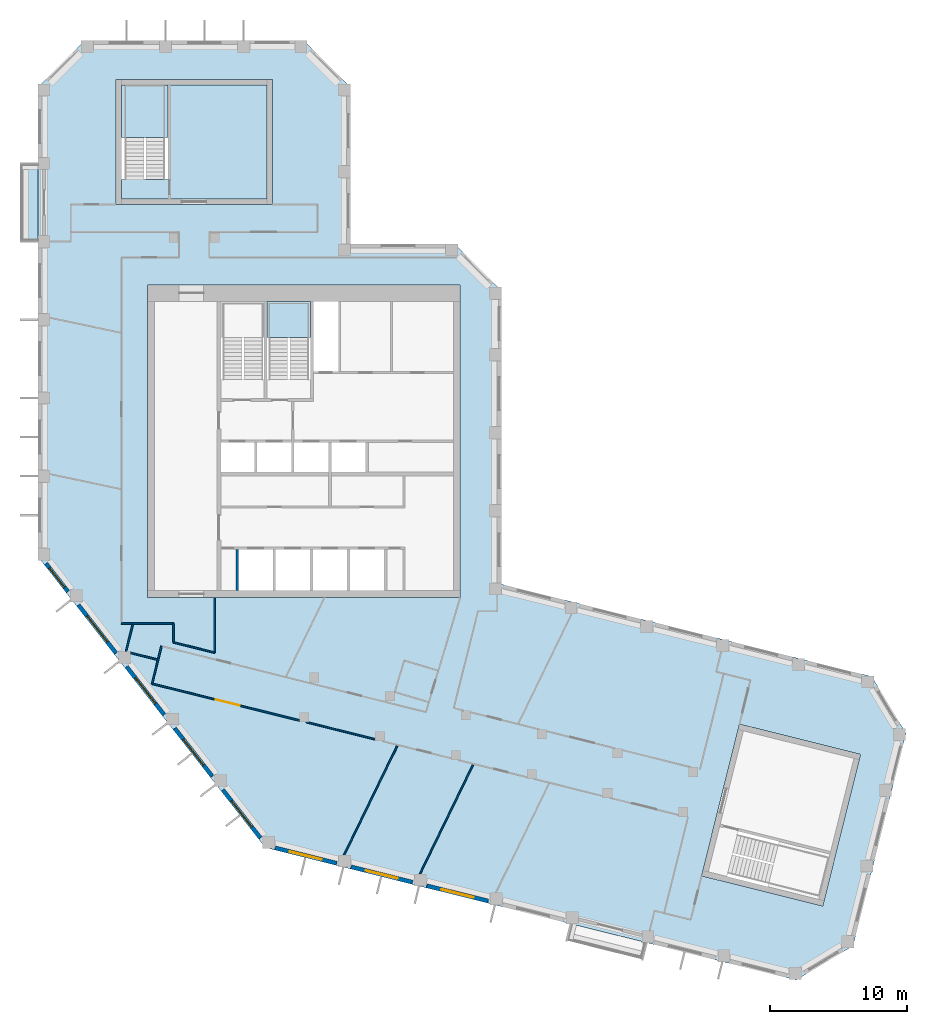
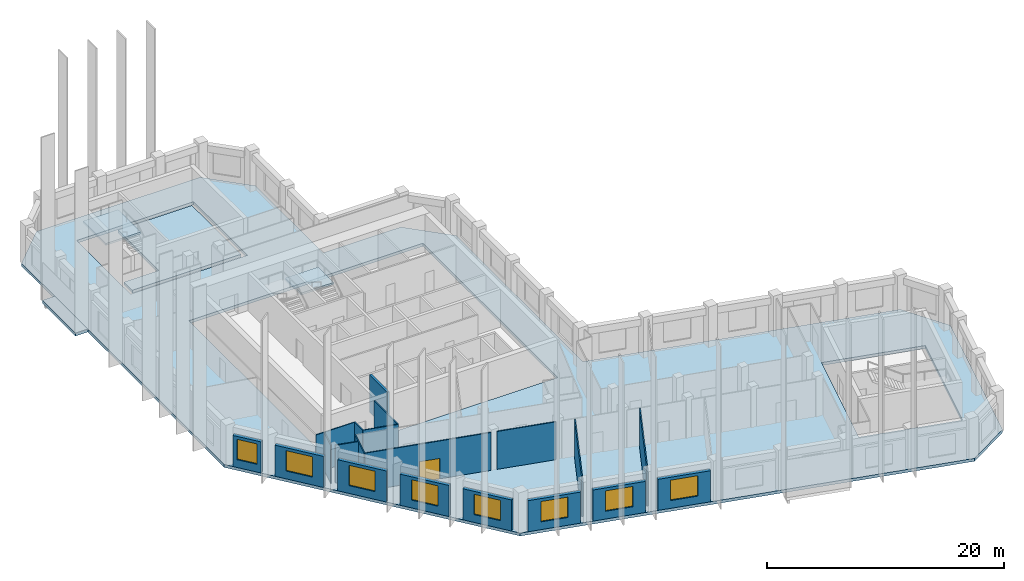
# One storey, part 2 of 8: 20 walls, 8 windows, 5 slabs, 1 door, 9 openings, 2 elements without a shape of their own.
"""IFC4 building model written with IfcOpenShell, lengths in metres."""

import ifcopenshell
import ifcopenshell.guid

model = None  # the IFC model being written
_history = None  # IfcOwnerHistory: only IFC2X3 demands one
_inside = {}  # id of a spatial element -> (the spatial element, [elements in it])
_under = {}  # id of a project, library or spatial element -> (it, [spatial elements below it])
_declared = {}  # id of a project -> (the project, [libraries it declares])
_typed = {}  # id of a type object -> (the type object, [elements of that type])
_made_of = {}  # id of a material, layer set ... -> (it, [elements and type objects made of it])


def new_model(schema):
    """Start an empty IFC model of exactly this schema.

    Asked for "IFC4X3", IfcOpenShell would pick the latest addendum, in which some entities
    have other attributes; the version numbers below select the first issue.
    IFC2X3 requires an IfcOwnerHistory on every rooted entity: one is made here for all.
    """
    global model, _history
    if schema == "IFC4X3":
        model = ifcopenshell.file(schema_version=(4, 3, 0, 0))
    else:
        model = ifcopenshell.file(schema=schema)
    _inside.clear()
    _under.clear()
    _declared.clear()
    _typed.clear()
    _made_of.clear()
    _history = None
    if model.schema == "IFC2X3":
        org = make("IfcOrganization", Name="unknown")
        user = make(
            "IfcPersonAndOrganization",
            ThePerson=make("IfcPerson", FamilyName="unknown"),
            TheOrganization=org,
        )
        app = make(
            "IfcApplication",
            ApplicationDeveloper=org,
            Version="unknown",
            ApplicationFullName="unknown",
            ApplicationIdentifier="unknown",
        )
        _history = make(
            "IfcOwnerHistory",
            OwningUser=user,
            OwningApplication=app,
            ChangeAction="ADDED",
            CreationDate=0,
        )
    return model


def make(cls, **values):
    """One entity of the class cls with the attributes given. An attribute that is None is left unset."""
    return model.create_entity(
        cls, **{name: value for name, value in values.items() if value is not None}
    )


def rooted(cls, **values):
    """An entity with a GlobalId (a new one), such as an element, a storey or a relation."""
    return make(cls, GlobalId=ifcopenshell.guid.new(), OwnerHistory=_history, **values)


def si_unit(unit_type, name, prefix=None):
    """IfcSIUnit, for example si_unit("LENGTHUNIT", "METRE", prefix="MILLI")."""
    return make("IfcSIUnit", UnitType=unit_type, Prefix=prefix, Name=name)


def assignment(units):
    """IfcUnitAssignment: the units of a project."""
    return None if units is None else make("IfcUnitAssignment", Units=units)


def point(xyz):
    """IfcCartesianPoint."""
    return None if xyz is None else make("IfcCartesianPoint", Coordinates=xyz)


def direction(xyz):
    """IfcDirection."""
    return None if xyz is None else make("IfcDirection", DirectionRatios=xyz)


def frame(location, z_axis=None, x_axis=None):
    """IfcAxis2Placement3D, a coordinate frame: its origin and axes. An axis left out is left unset."""
    return make(
        "IfcAxis2Placement3D",
        Location=point(location),
        Axis=direction(z_axis),
        RefDirection=direction(x_axis),
    )


def frame_2d(location, x_axis=None):
    """IfcAxis2Placement2D, a coordinate frame in the plane: its origin and x axis."""
    return make(
        "IfcAxis2Placement2D", Location=point(location), RefDirection=direction(x_axis)
    )


def origin():
    """The frame at (0, 0, 0) with its axes left unset."""
    return frame((0.0, 0.0, 0.0))


def place(relative_to, where):
    """IfcLocalPlacement: puts the frame where relative to a parent placement (None: the world)."""
    return make(
        "IfcLocalPlacement", PlacementRelTo=relative_to, RelativePlacement=where
    )


def context(
    kind, dimensions, precision=None, world=None, true_north=None, identifier=None
):
    """IfcGeometricRepresentationContext, for example the 3D "Model" context."""
    return make(
        "IfcGeometricRepresentationContext",
        ContextIdentifier=identifier,
        ContextType=kind,
        CoordinateSpaceDimension=dimensions,
        Precision=precision,
        WorldCoordinateSystem=world,
        TrueNorth=true_north,
    )


def subcontext(parent, identifier, kind, view, scale=None):
    """IfcGeometricRepresentationSubContext, for example "Body" below "Model"."""
    return make(
        "IfcGeometricRepresentationSubContext",
        ContextIdentifier=identifier,
        ContextType=kind,
        ParentContext=parent,
        TargetScale=scale,
        TargetView=view,
    )


def project(units=None, contexts=None):
    """IfcProject with its units and contexts."""
    return rooted(
        "IfcProject",
        Name="project",
        RepresentationContexts=contexts,
        UnitsInContext=assignment(units),
    )


def spatial(cls, under=None, at=None, **own):
    """A site, building, storey or space (cls), placed at a placement, below another one or the project."""
    s = rooted(cls, ObjectPlacement=at, **own)
    if under is not None:
        _under.setdefault(under.id(), (under, []))[1].append(s)
    return s


def polyline(points):
    """IfcPolyline through the points."""
    return make("IfcPolyline", Points=[point(p) for p in points])


def profile(cls, at=None, kind="AREA", **sizes):
    """A parametric profile (cls). Its sizes go by their IFC names, for example OverallWidth=200.0."""
    return make(cls, ProfileType=kind, Position=at, **sizes)


def rectangle(**sizes):
    """IfcRectangleProfileDef."""
    return profile("IfcRectangleProfileDef", **sizes)


def outline(outer, holes=None, kind="AREA"):
    """IfcArbitraryClosedProfileDef: a profile drawn as a closed curve; with holes, ...WithVoids."""
    if holes is None:
        return make("IfcArbitraryClosedProfileDef", ProfileType=kind, OuterCurve=outer)
    return make(
        "IfcArbitraryProfileDefWithVoids",
        ProfileType=kind,
        OuterCurve=outer,
        InnerCurves=holes,
    )


def extrude(swept, where, along, depth):
    """IfcExtrudedAreaSolid: the profile swept, set in the frame where, extruded along a direction by depth."""
    return make(
        "IfcExtrudedAreaSolid",
        SweptArea=swept,
        Position=where,
        ExtrudedDirection=direction(along),
        Depth=depth,
    )


def shape(context_of_items, identifier, shape_type, items):
    """IfcShapeRepresentation: the items that make up one representation, for example the "Body"."""
    return make(
        "IfcShapeRepresentation",
        ContextOfItems=context_of_items,
        RepresentationIdentifier=identifier,
        RepresentationType=shape_type,
        Items=items,
    )


def material(Name=None, Category=None):
    """IfcMaterial."""
    return make("IfcMaterial", Name=Name, Category=Category)


def layer(
    of_material, thickness, ventilated=None, Name=None, Category=None, Priority=None
):
    """IfcMaterialLayer: one layer of a wall or slab, of a material (None: an air gap)."""
    return make(
        "IfcMaterialLayer",
        Material=of_material,
        LayerThickness=thickness,
        IsVentilated=ventilated,
        Name=Name,
        Category=Category,
        Priority=Priority,
    )


def layer_set(layers, Name=None):
    """IfcMaterialLayerSet."""
    return make("IfcMaterialLayerSet", MaterialLayers=layers, LayerSetName=Name)


def made_of(thing, what):
    """Note that an element or type object is made of a material, layer set ...; save() writes the relation."""
    if what is not None:
        _made_of.setdefault(what.id(), (what, []))[1].append(thing)
    return thing


def type_object(cls, material=None, **own):
    """A type object (cls), such as IfcWallType, which elements share."""
    return made_of(rooted(cls, **own), material)


def element(
    cls,
    number,
    at=None,
    inside=None,
    cuts=None,
    type_object=None,
    material=None,
    context=None,
    identifier="Body",
    shape_type=None,
    held_by="IfcProductDefinitionShape",
    body=None,
    shapes=None,
    **own,
):
    """One element of the class cls, such as IfcWall. Its Tag is "e" and its number.

    at: its placement. inside: the storey or other place that contains it. cuts: it is an
    opening in that element (IfcRelVoidsElement). A single representation is given by context,
    identifier, shape_type and body (its items); several are given by shapes. held_by: the class
    of the entity that holds the representations. save() writes the other relations.
    """
    e = rooted(cls, Tag="e%d" % number, ObjectPlacement=at, **own)
    if body is not None:
        shapes = [shape(context, identifier, shape_type, body)]
    if shapes is not None:
        e.Representation = make(held_by, Representations=shapes)
    if inside is not None:
        _inside.setdefault(inside.id(), (inside, []))[1].append(e)
    if cuts is not None:
        rooted(
            "IfcRelVoidsElement", RelatingBuildingElement=cuts, RelatedOpeningElement=e
        )
    if type_object is not None:
        _typed.setdefault(type_object.id(), (type_object, []))[1].append(e)
    return made_of(e, material)


def fill(opening, filler):
    """IfcRelFillsElement: the door or window that sits in an opening."""
    return rooted(
        "IfcRelFillsElement",
        RelatingOpeningElement=opening,
        RelatedBuildingElement=filler,
    )


def aggregate(whole, parts):
    """IfcRelAggregates: a whole, such as a stair, and the parts it consists of."""
    return rooted("IfcRelAggregates", RelatingObject=whole, RelatedObjects=parts)


def save(model, path):
    """Write the relations noted so far, then the file.

    IfcRelAggregates (storeys below a building ...), IfcRelContainedInSpatialStructure (elements
    in a storey), IfcRelDefinesByType, IfcRelAssociatesMaterial and IfcRelDeclares: one each for
    every whole, place, type object, material and project.
    """
    for whole, parts in _under.values():
        aggregate(whole, parts)
    for where, things in _inside.values():
        rooted(
            "IfcRelContainedInSpatialStructure",
            RelatedElements=things,
            RelatingStructure=where,
        )
    for kind, things in _typed.values():
        rooted("IfcRelDefinesByType", RelatedObjects=things, RelatingType=kind)
    for what, things in _made_of.values():
        rooted("IfcRelAssociatesMaterial", RelatedObjects=things, RelatingMaterial=what)
    for by, libraries in _declared.values():
        rooted("IfcRelDeclares", RelatingContext=by, RelatedDefinitions=libraries)
    model.write(path)


model = new_model("IFC4")

# Units and contexts
model_context = context("Model", 3, precision=1e-05, world=origin(), true_north=direction((0.0, 1.0)))
body_context = subcontext(model_context, "Body", "Model", "MODEL_VIEW")
ifc_project = project(units=[si_unit("LENGTHUNIT", "METRE"), si_unit("AREAUNIT", "SQUARE_METRE"), si_unit("VOLUMEUNIT", "CUBIC_METRE"), si_unit("PLANEANGLEUNIT", "RADIAN"), si_unit("MASSUNIT", "GRAM", prefix="KILO")], contexts=[model_context])

# Site, building, storey
site_placement = place(None, origin())
site = spatial("IfcSite", under=ifc_project, at=site_placement, CompositionType="ELEMENT")
building_placement = place(site_placement, origin())
building = spatial("IfcBuilding", under=site, at=building_placement, Name="Meshkara Civic Tower", CompositionType="ELEMENT")
storey_placement = place(building_placement, frame((0.0, 0.0, 370.800048828125)))
storey = spatial("IfcBuildingStorey", under=building, at=storey_placement, Name="L85", CompositionType="ELEMENT", Elevation=370.800048828125)

# Slabs
ifc_material_1 = material(Name="Concrete C40", Category="concrete")
ifc_layer_1 = layer(ifc_material_1, 0.300048828125)
ifc_layer_set_1 = layer_set([ifc_layer_1], Name="BALCONY SLAB")
slab_type_1 = type_object("IfcSlabType", Name="BALCONY SLAB", PredefinedType="FLOOR", material=ifc_layer_set_1)
slab_1_placement = place(storey_placement, frame((0.0, 0.0, -0.300048828125)))
element("IfcSlab", 1, at=slab_1_placement, inside=storey, type_object=slab_type_1, Name="Balcony slab", PredefinedType="FLOOR", context=body_context, shape_type="SweptSolid", body=[
    extrude(outline(polyline([(0.0, 40.5048828125), (0.0, 40.114990234375), (-1.199951171875, 40.114990234375), (-1.199951171875, 45.695068359375), (0.0, 45.695068359375), (0.0, 45.304931640625), (0.0, 40.5048828125)])), origin(), (0.0, 0.0, 1.0), 0.300048828125),
])
ifc_material_2 = material(Name="Concrete C40/50", Category="concrete")
ifc_layer_2 = layer(ifc_material_2, 0.300048828125)
ifc_layer_set_2 = layer_set([ifc_layer_2], Name="Core floor slab 300 C40/50")
slab_type_2 = type_object("IfcSlabType", Name="Core floor slab 300 C40/50", PredefinedType="FLOOR", material=ifc_layer_set_2)
slab_2_placement = place(storey_placement, frame((0.0, 0.0, -0.300048828125)))
element("IfcSlab", 2, at=slab_2_placement, inside=storey, type_object=slab_type_2, Name="Core floor EA", PredefinedType="FLOOR", context=body_context, shape_type="SweptSolid", body=[
    extrude(outline(polyline([(16.699951171875, 43.169921875), (16.699951171875, 51.469970703125), (9.5, 51.469970703125), (9.5, 44.571533203125), (6.10009765625, 44.571533203125), (6.10009765625, 43.169921875), (16.699951171875, 43.169921875)])), origin(), (0.0, 0.0, 1.0), 0.300048828125),
])

# Stair, slab
ifc_material_3 = material(Name="Precast concrete C40/50", Category="concrete")
stair_type = type_object("IfcStairType", Name="Exit stair half-turn 24 risers precast", PredefinedType="HALF_TURN_STAIR", material=ifc_material_3)
stair_1_placement = place(storey_placement, origin())
stair_1 = element("IfcStair", 3, at=stair_1_placement, inside=storey, type_object=stair_type, Name="L85 exit stair 2", PredefinedType="HALF_TURN_STAIR")
ifc_material_4 = material(Name="Precast concrete C40/50", Category="concrete")
ifc_layer_3 = layer(ifc_material_4, 0.199951171875)
ifc_layer_set_3 = layer_set([ifc_layer_3], Name="Exit stair landing 200")
slab_type_3 = type_object("IfcSlabType", Name="Exit stair landing 200", PredefinedType="LANDING", material=ifc_layer_set_3)
slab_3_placement = place(storey_placement, frame((0.0, 0.0, 1.89990234375)))
slab_3 = element("IfcSlab", 4, at=slab_3_placement, type_object=slab_type_3, Name="ST2 landing 1", PredefinedType="LANDING", context=body_context, shape_type="SweptSolid", body=[
    extrude(outline(polyline([(19.89990234375, 33.07861328125), (19.89990234375, 35.699951171875), (16.699951171875, 35.699951171875), (16.699951171875, 33.07861328125), (19.89990234375, 33.07861328125)])), origin(), (0.0, 0.0, 1.0), 0.199951171875),
])
aggregate(stair_1, [slab_3])

stair_2_placement = place(storey_placement, origin())
stair_2 = element("IfcStair", 5, at=stair_2_placement, inside=storey, type_object=stair_type, Name="L85 exit stair A from L80", PredefinedType="HALF_TURN_STAIR")
slab_4_placement = place(storey_placement, frame((0.0, 0.0, 1.89990234375)))
slab_4 = element("IfcSlab", 6, at=slab_4_placement, type_object=slab_type_3, Name="ESA6 landing 1", PredefinedType="LANDING", context=body_context, shape_type="SweptSolid", body=[
    extrude(outline(polyline([(9.5, 47.6484375), (9.5, 51.469970703125), (6.10009765625, 51.469970703125), (6.10009765625, 47.6484375), (9.5, 47.6484375)])), origin(), (0.0, 0.0, 1.0), 0.199951171875),
])
aggregate(stair_2, [slab_4])

# Slab
ifc_material_5 = material(Name="Concrete C50", Category="concrete")
ifc_layer_4 = layer(ifc_material_5, 0.300048828125)
ifc_layer_set_4 = layer_set([ifc_layer_4], Name="Post-tensioned flat slab 300 C50")
slab_type_4 = type_object("IfcSlabType", Name="Post-tensioned flat slab 300 C50", PredefinedType="FLOOR", material=ifc_layer_set_4)
slab_5_placement = place(storey_placement, frame((0.0, 0.0, -0.300048828125)))
element("IfcSlab", 7, at=slab_5_placement, inside=storey, type_object=slab_type_4, Name="Post-tensioned flat slab L85", PredefinedType="FLOOR", context=body_context, shape_type="SweptSolid", body=[
    extrude(outline(polyline([(59.452880859375, -11.299072265625), (55.306884765625, -13.7900390625), (16.592041015625, -4.136962890625), (0.0, 17.10009765625), (0.0, 51.300048828125), (3.419921875, 54.719970703125), (19.3798828125, 54.719970703125), (22.800048828125, 51.300048828125), (22.800048828125, 39.89990234375), (30.3798828125, 39.89990234375), (33.800048828125, 36.47998046875), (33.800048828125, 15.071044921875), (60.822998046875, 8.3330078125), (63.31396484375, 4.18701171875), (59.452880859375, -11.299072265625)]), holes=[polyline([(57.239013671875, -8.39697265625), (59.9970703125, 2.6650390625), (51.1669921875, 4.865966796875), (48.408935546875, -6.195068359375), (57.239013671875, -8.39697265625)]), polyline([(8.0, 14.10009765625), (30.800048828125, 14.10009765625), (30.800048828125, 36.89990234375), (8.0, 36.89990234375), (8.0, 14.10009765625)]), polyline([(5.699951171875, 51.8701171875), (5.699951171875, 42.77001953125), (17.10009765625, 42.77001953125), (17.10009765625, 51.8701171875), (5.699951171875, 51.8701171875)])]), origin(), (0.0, 0.0, 1.0), 0.300048828125),
])

# Wall
ifc_material_6 = material(Name="Corridor wall 100")
ifc_layer_5 = layer(ifc_material_6, 0.10009765625)
ifc_layer_set_5 = layer_set([ifc_layer_5], Name="Corridor wall 100")
wall_type_1 = type_object("IfcWallType", Name="Corridor wall 100", PredefinedType="PARTITIONING", material=ifc_layer_set_5)
wall_1_placement = place(storey_placement, frame((6.10009765625, 12.199951171875, 0.0), z_axis=(0.0, 0.0, 1.0), x_axis=(1.0, 0.0, 0.0)))
element("IfcWall", 8, at=wall_1_placement, inside=storey, type_object=wall_type_1, Name="L85-W004", PredefinedType="PARTITIONING", context=body_context, shape_type="SweptSolid", body=[
    extrude(rectangle(XDim=3.7998046875, YDim=0.10009765625, at=frame_2d((1.89990234375, 0.0))), origin(), (0.0, 0.0, 1.0), 3.89990234375),
])

# Wall, opening, door
wall_2_placement = place(storey_placement, frame((8.333984375, 7.81494140625, 0.0), z_axis=(0.0, 0.0, 1.0), x_axis=(0.970312231044, -0.241855688968, 0.0)))
wall_2 = element("IfcWall", 9, at=wall_2_placement, inside=storey, type_object=wall_type_1, Name="L85-W006", PredefinedType="PARTITIONING", context=body_context, shape_type="SweptSolid", body=[
    extrude(rectangle(XDim=11.068603515625, YDim=0.10009765625, at=frame_2d((5.5341796875, 0.0))), origin(), (0.0, 0.0, 1.0), 3.89990234375),
])
opening_1_placement = place(wall_2_placement, frame((4.780029296875, 0.0, 0.0)))
opening_1 = element("IfcOpeningElement", 10, at=opening_1_placement, cuts=wall_2, Name="Opening L85-D008", PredefinedType="OPENING", context=body_context, shape_type="SweptSolid", body=[
    extrude(rectangle(XDim=1.800048828125, YDim=2.10009765625, at=frame_2d((0.89990234375, 1.050048828125))), frame((0.0, 0.06005859375, 0.0), z_axis=(0.0, -1.0, 0.0), x_axis=(1.0, 0.0, 0.0)), (0.0, 0.0, 1.0), 0.1201171875),
])
ifc_material_7 = material(Name="Door pair 1800 x 2100")
door_type = type_object("IfcDoorType", Name="Door pair 1800 x 2100", OperationType="SINGLE_SWING_LEFT", PredefinedType="DOOR", material=ifc_material_7)
door_placement = place(opening_1_placement, origin())
door = element("IfcDoor", 11, at=door_placement, inside=storey, type_object=door_type, Name="L85-D008", OperationType="DOUBLE_DOOR_SINGLE_SWING", OverallHeight=2.10009765625, OverallWidth=1.800048828125, PredefinedType="DOOR", context=body_context, shape_type="SweptSolid", body=[
    extrude(rectangle(XDim=1.800048828125, YDim=2.10009765625, at=frame_2d((0.89990234375, 1.050048828125))), frame((0.0, 0.02490234375, 0.0), z_axis=(0.0, -1.0, 0.0), x_axis=(1.0, 0.0, 0.0)), (0.0, 0.0, 1.0), 0.050048828125),
])
fill(opening_1, door)

# Walls
wall_3_placement = place(storey_placement, frame((9.01708984375, 10.55810546875, 0.0), z_axis=(0.0, 0.0, 1.0), x_axis=(-0.241641419317, -0.970365613813, 0.0)))
element("IfcWall", 12, at=wall_3_placement, inside=storey, type_object=wall_type_1, Name="L85-W008", PredefinedType="PARTITIONING", context=body_context, shape_type="SweptSolid", body=[
    extrude(rectangle(XDim=2.826904296875, YDim=0.10009765625, at=frame_2d((1.41357421875, 0.0))), origin(), (0.0, 0.0, 1.0), 3.89990234375),
])
wall_4_placement = place(storey_placement, frame((9.89990234375, 10.825927734375, 0.0), z_axis=(0.0, 0.0, 1.0), x_axis=(0.970290953223, -0.241941038466, 0.0)))
element("IfcWall", 13, at=wall_4_placement, inside=storey, type_object=wall_type_1, Name="L85-W009", PredefinedType="PARTITIONING", context=body_context, shape_type="SweptSolid", body=[
    extrude(rectangle(XDim=3.091796875, YDim=0.10009765625, at=frame_2d((1.5458984375, 0.0))), origin(), (0.0, 0.0, 1.0), 3.89990234375),
])
wall_5_placement = place(storey_placement, frame((9.89990234375, 12.199951171875, 0.0), z_axis=(0.0, 0.0, 1.0), x_axis=(0.0, -1.0, 0.0)))
element("IfcWall", 14, at=wall_5_placement, inside=storey, type_object=wall_type_1, Name="L85-W010", PredefinedType="PARTITIONING", context=body_context, shape_type="SweptSolid", body=[
    extrude(rectangle(XDim=1.3740234375, YDim=0.10009765625, at=frame_2d((0.68701171875, 0.0))), origin(), (0.0, 0.0, 1.0), 3.89990234375),
])
wall_6_placement = place(storey_placement, frame((12.89990234375, 10.077880859375, 0.0), z_axis=(0.0, 0.0, 1.0), x_axis=(0.0, 1.0, 0.0)))
element("IfcWall", 15, at=wall_6_placement, inside=storey, type_object=wall_type_1, Name="L85-W015", PredefinedType="PARTITIONING", context=body_context, shape_type="SweptSolid", body=[
    extrude(rectangle(XDim=4.022216796875, YDim=0.10009765625, at=frame_2d((2.01123046875, 0.0))), origin(), (0.0, 0.0, 1.0), 3.89990234375),
])
wall_7_placement = place(storey_placement, frame((19.5859375, 5.010009765625, 0.0), z_axis=(0.0, 0.0, 1.0), x_axis=(0.970303347181, -0.241891327769, 0.0)))
element("IfcWall", 16, at=wall_7_placement, inside=storey, type_object=wall_type_1, Name="L85-W016", PredefinedType="PARTITIONING", context=body_context, shape_type="SweptSolid", body=[
    extrude(rectangle(XDim=5.171630859375, YDim=0.10009765625, at=frame_2d((2.5859375, 0.0))), origin(), (0.0, 0.0, 1.0), 3.89990234375),
])

# Wall, opening, window
ifc_material_8 = material(Name="Insulated infill panel with bronze anodised aluminium cladding", Category="aluminium")
ifc_layer_6 = layer(ifc_material_8, 0.300048828125)
ifc_layer_set_6 = layer_set([ifc_layer_6], Name="EXTERNAL INFILL WALL 300")
wall_type_2 = type_object("IfcWallType", Name="EXTERNAL INFILL WALL 300", PredefinedType="SOLIDWALL", material=ifc_layer_set_6)
wall_8_placement = place(storey_placement, frame((0.60205078125, 16.572998046875, 0.0), z_axis=(0.0, 0.0, 1.0), x_axis=(0.61568999437, -0.787988471256, 0.0)))
wall_8 = element("IfcWall", 17, at=wall_8_placement, inside=storey, type_object=wall_type_2, Name="External wall", PredefinedType="SOLIDWALL", context=body_context, shape_type="SweptSolid", body=[
    extrude(rectangle(XDim=2.577392578125, YDim=0.300048828125, at=frame_2d((1.28857421875, 0.0))), origin(), (0.0, 0.0, 1.0), 3.199951171875),
])
opening_2_placement = place(wall_8_placement, frame((0.387939453125, 0.0, 0.800048828125)))
opening_2 = element("IfcOpeningElement", 18, at=opening_2_placement, cuts=wall_8, Name="Opening W9", PredefinedType="OPENING", context=body_context, shape_type="SweptSolid", body=[
    extrude(rectangle(XDim=1.800048828125, YDim=2.10009765625, at=frame_2d((0.89990234375, 1.050048828125))), frame((0.0, 0.159912109375, 0.0), z_axis=(0.0, -1.0, 0.0), x_axis=(1.0, 0.0, 0.0)), (0.0, 0.0, 1.0), 0.320068359375),
])
ifc_material_9 = material(Name="Tinted double glazing", Category="glass")
window_type_1 = type_object("IfcWindowType", Name="WINDOW 1800x2100", PartitioningType="DOUBLE_PANEL_VERTICAL", PredefinedType="WINDOW", material=ifc_material_9)
window_1_placement = place(opening_2_placement, origin())
window_1 = element("IfcWindow", 19, at=window_1_placement, inside=storey, type_object=window_type_1, Name="Window", OverallHeight=2.10009765625, OverallWidth=1.800048828125, PartitioningType="DOUBLE_PANEL_VERTICAL", PredefinedType="WINDOW", context=body_context, shape_type="SweptSolid", body=[
    extrude(rectangle(XDim=1.800048828125, YDim=2.10009765625, at=frame_2d((0.89990234375, 1.050048828125))), frame((0.0, 0.030029296875, 0.0), z_axis=(0.0, -1.0, 0.0), x_axis=(1.0, 0.0, 0.0)), (0.0, 0.0, 1.0), 0.06005859375),
])
fill(opening_2, window_1)

wall_9_placement = place(storey_placement, frame((2.967041015625, 13.547119140625, 0.0), z_axis=(0.0, 0.0, 1.0), x_axis=(0.615486001463, -0.788147817356, 0.0)))
wall_9 = element("IfcWall", 20, at=wall_9_placement, inside=storey, type_object=wall_type_2, Name="External wall", PredefinedType="SOLIDWALL", context=body_context, shape_type="SweptSolid", body=[
    extrude(rectangle(XDim=4.43701171875, YDim=0.300048828125, at=frame_2d((2.218505859375, 0.0))), origin(), (0.0, 0.0, 1.0), 3.199951171875),
])
opening_3_placement = place(wall_9_placement, frame((1.01806640625, 0.0, 0.800048828125)))
opening_3 = element("IfcOpeningElement", 21, at=opening_3_placement, cuts=wall_9, Name="Opening W7", PredefinedType="OPENING", context=body_context, shape_type="SweptSolid", body=[
    extrude(rectangle(XDim=2.39990234375, YDim=2.10009765625, at=frame_2d((1.199951171875, 1.050048828125))), frame((0.0, 0.159912109375, 0.0), z_axis=(0.0, -1.0, 0.0), x_axis=(1.0, 0.0, 0.0)), (0.0, 0.0, 1.0), 0.320068359375),
])
ifc_material_10 = material(Name="Tinted double glazing", Category="glass")
window_type_2 = type_object("IfcWindowType", Name="WINDOW 2400x2100", PartitioningType="DOUBLE_PANEL_VERTICAL", PredefinedType="WINDOW", material=ifc_material_10)
window_2_placement = place(opening_3_placement, origin())
window_2 = element("IfcWindow", 22, at=window_2_placement, inside=storey, type_object=window_type_2, Name="Window", OverallHeight=2.10009765625, OverallWidth=2.39990234375, PartitioningType="DOUBLE_PANEL_VERTICAL", PredefinedType="WINDOW", context=body_context, shape_type="SweptSolid", body=[
    extrude(rectangle(XDim=2.39990234375, YDim=2.10009765625, at=frame_2d((1.199951171875, 1.050048828125))), frame((0.0, 0.030029296875, 0.0), z_axis=(0.0, -1.0, 0.0), x_axis=(1.0, 0.0, 0.0)), (0.0, 0.0, 1.0), 0.06005859375),
])
fill(opening_3, window_2)

wall_10_placement = place(storey_placement, frame((6.47607421875, 9.054931640625, 0.0), z_axis=(0.0, 0.0, 1.0), x_axis=(0.615649380255, -0.788020203162, 0.0)))
wall_10 = element("IfcWall", 23, at=wall_10_placement, inside=storey, type_object=wall_type_2, Name="External wall", PredefinedType="SOLIDWALL", context=body_context, shape_type="SweptSolid", body=[
    extrude(rectangle(XDim=4.4375, YDim=0.300048828125, at=frame_2d((2.21875, 0.0))), origin(), (0.0, 0.0, 1.0), 3.199951171875),
])
opening_4_placement = place(wall_10_placement, frame((1.01904296875, 0.0, 0.800048828125)))
opening_4 = element("IfcOpeningElement", 24, at=opening_4_placement, cuts=wall_10, Name="Opening W7", PredefinedType="OPENING", context=body_context, shape_type="SweptSolid", body=[
    extrude(rectangle(XDim=2.39990234375, YDim=2.10009765625, at=frame_2d((1.199951171875, 1.050048828125))), frame((0.0, 0.159912109375, 0.0), z_axis=(0.0, -1.0, 0.0), x_axis=(1.0, 0.0, 0.0)), (0.0, 0.0, 1.0), 0.320068359375),
])
window_3_placement = place(opening_4_placement, origin())
window_3 = element("IfcWindow", 25, at=window_3_placement, inside=storey, type_object=window_type_2, Name="Window", OverallHeight=2.10009765625, OverallWidth=2.39990234375, PartitioningType="DOUBLE_PANEL_VERTICAL", PredefinedType="WINDOW", context=body_context, shape_type="SweptSolid", body=[
    extrude(rectangle(XDim=2.39990234375, YDim=2.10009765625, at=frame_2d((1.199951171875, 1.050048828125))), frame((0.0, 0.030029296875, 0.0), z_axis=(0.0, -1.0, 0.0), x_axis=(1.0, 0.0, 0.0)), (0.0, 0.0, 1.0), 0.06005859375),
])
fill(opening_4, window_3)

wall_11_placement = place(storey_placement, frame((9.986083984375, 4.56298828125, 0.0), z_axis=(0.0, 0.0, 1.0), x_axis=(0.615592779411, -0.788064419915, 0.0)))
wall_11 = element("IfcWall", 26, at=wall_11_placement, inside=storey, type_object=wall_type_2, Name="External wall", PredefinedType="SOLIDWALL", context=body_context, shape_type="SweptSolid", body=[
    extrude(rectangle(XDim=4.436279296875, YDim=0.300048828125, at=frame_2d((2.21826171875, 0.0))), origin(), (0.0, 0.0, 1.0), 3.199951171875),
])
opening_5_placement = place(wall_11_placement, frame((1.01806640625, 0.0, 0.800048828125)))
opening_5 = element("IfcOpeningElement", 27, at=opening_5_placement, cuts=wall_11, Name="Opening W7", PredefinedType="OPENING", context=body_context, shape_type="SweptSolid", body=[
    extrude(rectangle(XDim=2.39990234375, YDim=2.10009765625, at=frame_2d((1.199951171875, 1.050048828125))), frame((0.0, 0.159912109375, 0.0), z_axis=(0.0, -1.0, 0.0), x_axis=(1.0, 0.0, 0.0)), (0.0, 0.0, 1.0), 0.320068359375),
])
window_4_placement = place(opening_5_placement, origin())
window_4 = element("IfcWindow", 28, at=window_4_placement, inside=storey, type_object=window_type_2, Name="Window", OverallHeight=2.10009765625, OverallWidth=2.39990234375, PartitioningType="DOUBLE_PANEL_VERTICAL", PredefinedType="WINDOW", context=body_context, shape_type="SweptSolid", body=[
    extrude(rectangle(XDim=2.39990234375, YDim=2.10009765625, at=frame_2d((1.199951171875, 1.050048828125))), frame((0.0, 0.030029296875, 0.0), z_axis=(0.0, -1.0, 0.0), x_axis=(1.0, 0.0, 0.0)), (0.0, 0.0, 1.0), 0.06005859375),
])
fill(opening_5, window_4)

wall_12_placement = place(storey_placement, frame((13.493896484375, 0.071044921875, 0.0), z_axis=(0.0, 0.0, 1.0), x_axis=(0.615763624226, -0.787930935476, 0.0)))
wall_12 = element("IfcWall", 29, at=wall_12_placement, inside=storey, type_object=wall_type_2, Name="External wall", PredefinedType="SOLIDWALL", context=body_context, shape_type="SweptSolid", body=[
    extrude(rectangle(XDim=4.43701171875, YDim=0.300048828125, at=frame_2d((2.218505859375, 0.0))), origin(), (0.0, 0.0, 1.0), 3.199951171875),
])
opening_6_placement = place(wall_12_placement, frame((1.01806640625, 0.0, 0.800048828125)))
opening_6 = element("IfcOpeningElement", 30, at=opening_6_placement, cuts=wall_12, Name="Opening W7", PredefinedType="OPENING", context=body_context, shape_type="SweptSolid", body=[
    extrude(rectangle(XDim=2.39990234375, YDim=2.10009765625, at=frame_2d((1.199951171875, 1.050048828125))), frame((0.0, 0.159912109375, 0.0), z_axis=(0.0, -1.0, 0.0), x_axis=(1.0, 0.0, 0.0)), (0.0, 0.0, 1.0), 0.320068359375),
])
window_5_placement = place(opening_6_placement, origin())
window_5 = element("IfcWindow", 31, at=window_5_placement, inside=storey, type_object=window_type_2, Name="Window", OverallHeight=2.10009765625, OverallWidth=2.39990234375, PartitioningType="DOUBLE_PANEL_VERTICAL", PredefinedType="WINDOW", context=body_context, shape_type="SweptSolid", body=[
    extrude(rectangle(XDim=2.39990234375, YDim=2.10009765625, at=frame_2d((1.199951171875, 1.050048828125))), frame((0.0, 0.030029296875, 0.0), z_axis=(0.0, -1.0, 0.0), x_axis=(1.0, 0.0, 0.0)), (0.0, 0.0, 1.0), 0.06005859375),
])
fill(opening_6, window_5)

wall_13_placement = place(storey_placement, frame((17.30810546875, -4.160888671875, 0.0), z_axis=(0.0, 0.0, 1.0), x_axis=(0.970294992984, -0.241924836652, 0.0)))
wall_13 = element("IfcWall", 32, at=wall_13_placement, inside=storey, type_object=wall_type_2, Name="External wall", PredefinedType="SOLIDWALL", context=body_context, shape_type="SweptSolid", body=[
    extrude(rectangle(XDim=4.60888671875, YDim=0.300048828125, at=frame_2d((2.304443359375, 0.0))), origin(), (0.0, 0.0, 1.0), 3.199951171875),
])
opening_7_placement = place(wall_13_placement, frame((1.10498046875, 0.0, 0.800048828125)))
opening_7 = element("IfcOpeningElement", 33, at=opening_7_placement, cuts=wall_13, Name="Opening W7", PredefinedType="OPENING", context=body_context, shape_type="SweptSolid", body=[
    extrude(rectangle(XDim=2.39990234375, YDim=2.10009765625, at=frame_2d((1.199951171875, 1.050048828125))), frame((0.0, 0.159912109375, 0.0), z_axis=(0.0, -1.0, 0.0), x_axis=(1.0, 0.0, 0.0)), (0.0, 0.0, 1.0), 0.320068359375),
])
window_6_placement = place(opening_7_placement, origin())
window_6 = element("IfcWindow", 34, at=window_6_placement, inside=storey, type_object=window_type_2, Name="Window", OverallHeight=2.10009765625, OverallWidth=2.39990234375, PartitioningType="DOUBLE_PANEL_VERTICAL", PredefinedType="WINDOW", context=body_context, shape_type="SweptSolid", body=[
    extrude(rectangle(XDim=2.39990234375, YDim=2.10009765625, at=frame_2d((1.199951171875, 1.050048828125))), frame((0.0, 0.030029296875, 0.0), z_axis=(0.0, -1.0, 0.0), x_axis=(1.0, 0.0, 0.0)), (0.0, 0.0, 1.0), 0.06005859375),
])
fill(opening_7, window_6)

wall_14_placement = place(storey_placement, frame((22.839111328125, -5.5400390625, 0.0), z_axis=(0.0, 0.0, 1.0), x_axis=(0.970282587769, -0.241974585177, 0.0)))
wall_14 = element("IfcWall", 35, at=wall_14_placement, inside=storey, type_object=wall_type_2, Name="External wall", PredefinedType="SOLIDWALL", context=body_context, shape_type="SweptSolid", body=[
    extrude(rectangle(XDim=4.60791015625, YDim=0.300048828125, at=frame_2d((2.303955078125, 0.0))), origin(), (0.0, 0.0, 1.0), 3.199951171875),
])
opening_8_placement = place(wall_14_placement, frame((1.10400390625, 0.0, 0.800048828125)))
opening_8 = element("IfcOpeningElement", 36, at=opening_8_placement, cuts=wall_14, Name="Opening W7", PredefinedType="OPENING", context=body_context, shape_type="SweptSolid", body=[
    extrude(rectangle(XDim=2.39990234375, YDim=2.10009765625, at=frame_2d((1.199951171875, 1.050048828125))), frame((0.0, 0.159912109375, 0.0), z_axis=(0.0, -1.0, 0.0), x_axis=(1.0, 0.0, 0.0)), (0.0, 0.0, 1.0), 0.320068359375),
])
window_7_placement = place(opening_8_placement, origin())
window_7 = element("IfcWindow", 37, at=window_7_placement, inside=storey, type_object=window_type_2, Name="Window", OverallHeight=2.10009765625, OverallWidth=2.39990234375, PartitioningType="DOUBLE_PANEL_VERTICAL", PredefinedType="WINDOW", context=body_context, shape_type="SweptSolid", body=[
    extrude(rectangle(XDim=2.39990234375, YDim=2.10009765625, at=frame_2d((1.199951171875, 1.050048828125))), frame((0.0, 0.030029296875, 0.0), z_axis=(0.0, -1.0, 0.0), x_axis=(1.0, 0.0, 0.0)), (0.0, 0.0, 1.0), 0.06005859375),
])
fill(opening_8, window_7)

wall_15_placement = place(storey_placement, frame((28.368896484375, -6.9189453125, 0.0), z_axis=(0.0, 0.0, 1.0), x_axis=(0.970298093093, -0.241912402618, 0.0)))
wall_15 = element("IfcWall", 38, at=wall_15_placement, inside=storey, type_object=wall_type_2, Name="External wall", PredefinedType="SOLIDWALL", context=body_context, shape_type="SweptSolid", body=[
    extrude(rectangle(XDim=4.609130859375, YDim=0.300048828125, at=frame_2d((2.3046875, 0.0))), origin(), (0.0, 0.0, 1.0), 3.199951171875),
])
opening_9_placement = place(wall_15_placement, frame((1.10498046875, 0.0, 0.800048828125)))
opening_9 = element("IfcOpeningElement", 39, at=opening_9_placement, cuts=wall_15, Name="Opening W7", PredefinedType="OPENING", context=body_context, shape_type="SweptSolid", body=[
    extrude(rectangle(XDim=2.39990234375, YDim=2.10009765625, at=frame_2d((1.199951171875, 1.050048828125))), frame((0.0, 0.159912109375, 0.0), z_axis=(0.0, -1.0, 0.0), x_axis=(1.0, 0.0, 0.0)), (0.0, 0.0, 1.0), 0.320068359375),
])
window_8_placement = place(opening_9_placement, origin())
window_8 = element("IfcWindow", 40, at=window_8_placement, inside=storey, type_object=window_type_2, Name="Window", OverallHeight=2.10009765625, OverallWidth=2.39990234375, PartitioningType="DOUBLE_PANEL_VERTICAL", PredefinedType="WINDOW", context=body_context, shape_type="SweptSolid", body=[
    extrude(rectangle(XDim=2.39990234375, YDim=2.10009765625, at=frame_2d((1.199951171875, 1.050048828125))), frame((0.0, 0.030029296875, 0.0), z_axis=(0.0, -1.0, 0.0), x_axis=(1.0, 0.0, 0.0)), (0.0, 0.0, 1.0), 0.06005859375),
])
fill(opening_9, window_8)

# Walls
ifc_material_11 = material(Name="Partition 100")
ifc_layer_7 = layer(ifc_material_11, 0.10009765625)
ifc_layer_set_7 = layer_set([ifc_layer_7], Name="Partition 100")
wall_type_3 = type_object("IfcWallType", Name="Partition 100", PredefinedType="PARTITIONING", material=ifc_layer_set_7)
wall_16_placement = place(storey_placement, frame((6.922119140625, 12.137939453125, 0.0), z_axis=(0.0, 0.0, 1.0), x_axis=(-0.24222136375, -0.97022101139, 0.0)))
element("IfcWall", 41, at=wall_16_placement, inside=storey, type_object=wall_type_3, Name="L85-W042", PredefinedType="PARTITIONING", context=body_context, shape_type="SweptSolid", body=[
    extrude(rectangle(XDim=2.0107421875, YDim=0.10009765625, at=frame_2d((1.00537109375, 0.0))), origin(), (0.0, 0.0, 1.0), 3.89990234375),
])
wall_17_placement = place(storey_placement, frame((8.719970703125, 9.573974609375, 0.0), z_axis=(0.0, 0.0, 1.0), x_axis=(-0.970221168815, 0.24222073318, 0.0)))
element("IfcWall", 42, at=wall_17_placement, inside=storey, type_object=wall_type_3, Name="L85-W043", PredefinedType="PARTITIONING", context=body_context, shape_type="SweptSolid", body=[
    extrude(rectangle(XDim=2.0068359375, YDim=0.10009765625, at=frame_2d((1.00341796875, 0.0))), origin(), (0.0, 0.0, 1.0), 3.89990234375),
])
wall_18_placement = place(storey_placement, frame((22.3359375, -4.6669921875, 0.0), z_axis=(0.0, 0.0, 1.0), x_axis=(0.438261260169, 0.89884763327, 0.0)))
element("IfcWall", 43, at=wall_18_placement, inside=storey, type_object=wall_type_3, Name="L85-W045", PredefinedType="PARTITIONING", context=body_context, shape_type="SweptSolid", body=[
    extrude(rectangle(XDim=8.85791015625, YDim=0.10009765625, at=frame_2d((4.428955078125, 0.0))), origin(), (0.0, 0.0, 1.0), 3.89990234375),
])
wall_19_placement = place(storey_placement, frame((27.865966796875, -6.0458984375, 0.0), z_axis=(0.0, 0.0, 1.0), x_axis=(0.438350325629, 0.898804201159, 0.0)))
element("IfcWall", 44, at=wall_19_placement, inside=storey, type_object=wall_type_3, Name="L85-W048", PredefinedType="PARTITIONING", context=body_context, shape_type="SweptSolid", body=[
    extrude(rectangle(XDim=8.8583984375, YDim=0.10009765625, at=frame_2d((4.42919921875, 0.0))), origin(), (0.0, 0.0, 1.0), 3.89990234375),
])
ifc_material_12 = material(Name="Concrete C40/50", Category="concrete")
ifc_layer_8 = layer(ifc_material_12, 0.199951171875)
ifc_layer_set_8 = layer_set([ifc_layer_8], Name="Shaft wall 200 C40/50")
wall_type_4 = type_object("IfcWallType", Name="Shaft wall 200 C40/50", PredefinedType="SOLIDWALL", material=ifc_layer_set_8)
wall_20_placement = place(storey_placement, frame((14.550048828125, 14.60009765625, 0.0), z_axis=(0.0, 0.0, 1.0), x_axis=(0.0, 1.0, 0.0)))
element("IfcWall", 45, at=wall_20_placement, inside=storey, type_object=wall_type_4, Name="L85-C012", PredefinedType="SOLIDWALL", context=body_context, shape_type="SweptSolid", body=[
    extrude(rectangle(XDim=3.0, YDim=0.199951171875, at=frame_2d((1.5, 0.0))), origin(), (0.0, 0.0, 1.0), 3.89990234375),
])

save(model, "model.ifc")
